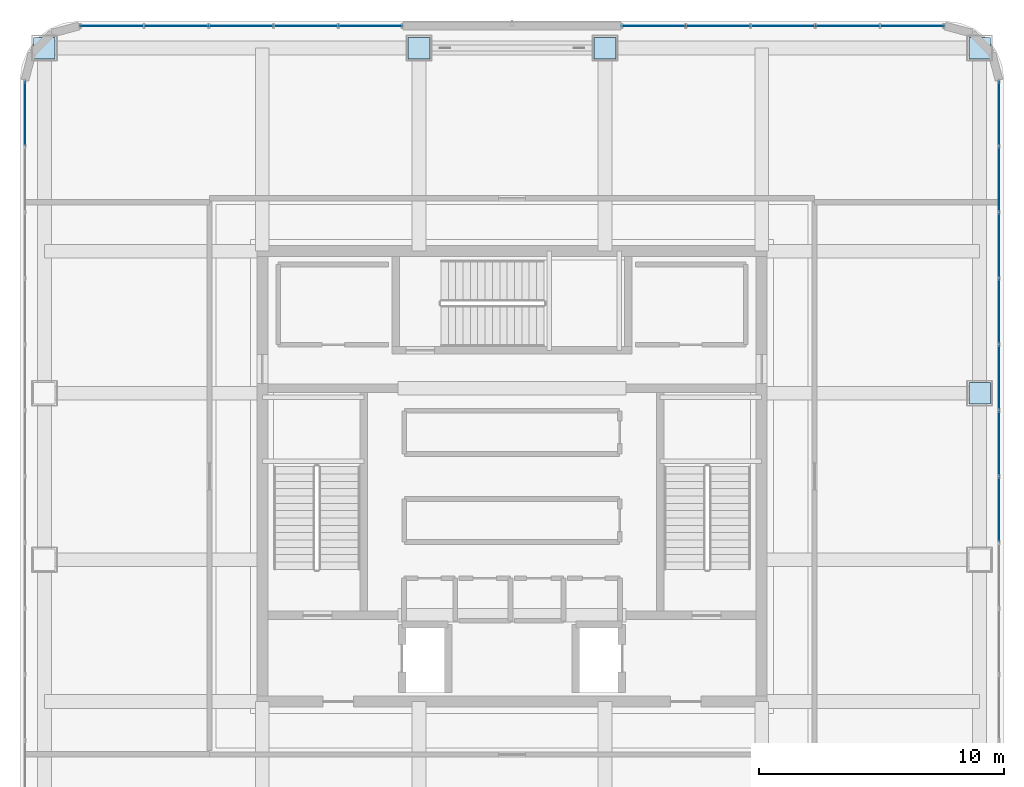
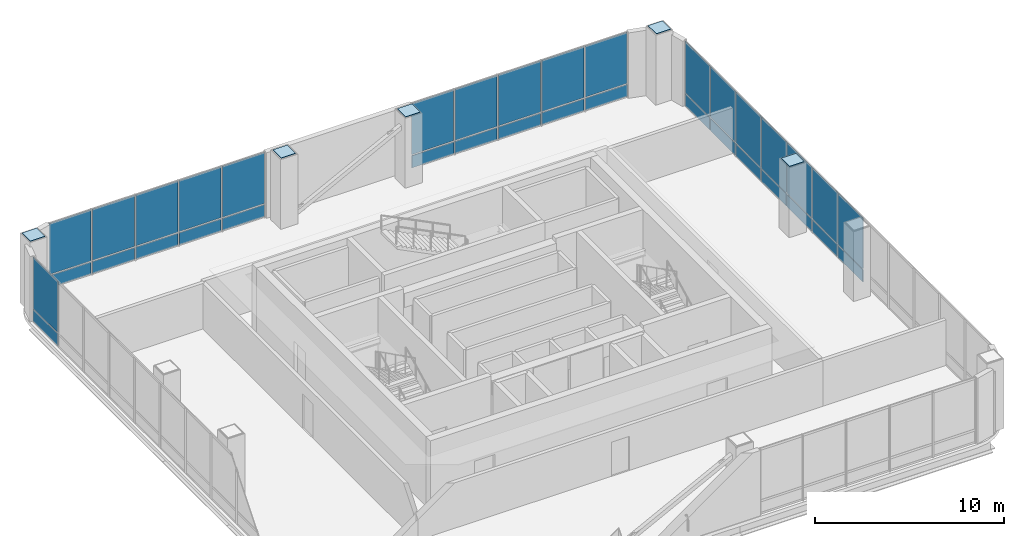
# One storey, part 26 of 33: 41 plates, 4 elements without a shape of their own.
"""IFC4 building model written with IfcOpenShell, lengths in metres."""

import ifcopenshell
import ifcopenshell.guid

model = None  # the IFC model being written
_history = None  # IfcOwnerHistory: only IFC2X3 demands one
_inside = {}  # id of a spatial element -> (the spatial element, [elements in it])
_under = {}  # id of a project, library or spatial element -> (it, [spatial elements below it])
_declared = {}  # id of a project -> (the project, [libraries it declares])
_typed = {}  # id of a type object -> (the type object, [elements of that type])
_made_of = {}  # id of a material, layer set ... -> (it, [elements and type objects made of it])


def new_model(schema):
    """Start an empty IFC model of exactly this schema.

    Asked for "IFC4X3", IfcOpenShell would pick the latest addendum, in which some entities
    have other attributes; the version numbers below select the first issue.
    IFC2X3 requires an IfcOwnerHistory on every rooted entity: one is made here for all.
    """
    global model, _history
    if schema == "IFC4X3":
        model = ifcopenshell.file(schema_version=(4, 3, 0, 0))
    else:
        model = ifcopenshell.file(schema=schema)
    _inside.clear()
    _under.clear()
    _declared.clear()
    _typed.clear()
    _made_of.clear()
    _history = None
    if model.schema == "IFC2X3":
        org = make("IfcOrganization", Name="unknown")
        user = make(
            "IfcPersonAndOrganization",
            ThePerson=make("IfcPerson", FamilyName="unknown"),
            TheOrganization=org,
        )
        app = make(
            "IfcApplication",
            ApplicationDeveloper=org,
            Version="unknown",
            ApplicationFullName="unknown",
            ApplicationIdentifier="unknown",
        )
        _history = make(
            "IfcOwnerHistory",
            OwningUser=user,
            OwningApplication=app,
            ChangeAction="ADDED",
            CreationDate=0,
        )
    return model


def make(cls, **values):
    """One entity of the class cls with the attributes given. An attribute that is None is left unset."""
    return model.create_entity(
        cls, **{name: value for name, value in values.items() if value is not None}
    )


def rooted(cls, **values):
    """An entity with a GlobalId (a new one), such as an element, a storey or a relation."""
    return make(cls, GlobalId=ifcopenshell.guid.new(), OwnerHistory=_history, **values)


def si_unit(unit_type, name, prefix=None):
    """IfcSIUnit, for example si_unit("LENGTHUNIT", "METRE", prefix="MILLI")."""
    return make("IfcSIUnit", UnitType=unit_type, Prefix=prefix, Name=name)


def assignment(units):
    """IfcUnitAssignment: the units of a project."""
    return None if units is None else make("IfcUnitAssignment", Units=units)


def point(xyz):
    """IfcCartesianPoint."""
    return None if xyz is None else make("IfcCartesianPoint", Coordinates=xyz)


def direction(xyz):
    """IfcDirection."""
    return None if xyz is None else make("IfcDirection", DirectionRatios=xyz)


def frame(location, z_axis=None, x_axis=None):
    """IfcAxis2Placement3D, a coordinate frame: its origin and axes. An axis left out is left unset."""
    return make(
        "IfcAxis2Placement3D",
        Location=point(location),
        Axis=direction(z_axis),
        RefDirection=direction(x_axis),
    )


def frame_2d(location, x_axis=None):
    """IfcAxis2Placement2D, a coordinate frame in the plane: its origin and x axis."""
    return make(
        "IfcAxis2Placement2D", Location=point(location), RefDirection=direction(x_axis)
    )


def origin():
    """The frame at (0, 0, 0) with its axes left unset."""
    return frame((0.0, 0.0, 0.0))


def origin_2d():
    """The frame at (0, 0) in the plane with its x axis left unset."""
    return frame_2d((0.0, 0.0))


def place(relative_to, where):
    """IfcLocalPlacement: puts the frame where relative to a parent placement (None: the world)."""
    return make(
        "IfcLocalPlacement", PlacementRelTo=relative_to, RelativePlacement=where
    )


def context(
    kind, dimensions, precision=None, world=None, true_north=None, identifier=None
):
    """IfcGeometricRepresentationContext, for example the 3D "Model" context."""
    return make(
        "IfcGeometricRepresentationContext",
        ContextIdentifier=identifier,
        ContextType=kind,
        CoordinateSpaceDimension=dimensions,
        Precision=precision,
        WorldCoordinateSystem=world,
        TrueNorth=true_north,
    )


def subcontext(parent, identifier, kind, view, scale=None):
    """IfcGeometricRepresentationSubContext, for example "Body" below "Model"."""
    return make(
        "IfcGeometricRepresentationSubContext",
        ContextIdentifier=identifier,
        ContextType=kind,
        ParentContext=parent,
        TargetScale=scale,
        TargetView=view,
    )


def project(units=None, contexts=None):
    """IfcProject with its units and contexts."""
    return rooted(
        "IfcProject",
        Name="project",
        RepresentationContexts=contexts,
        UnitsInContext=assignment(units),
    )


def spatial(cls, under=None, at=None, **own):
    """A site, building, storey or space (cls), placed at a placement, below another one or the project."""
    s = rooted(cls, ObjectPlacement=at, **own)
    if under is not None:
        _under.setdefault(under.id(), (under, []))[1].append(s)
    return s


def profile(cls, at=None, kind="AREA", **sizes):
    """A parametric profile (cls). Its sizes go by their IFC names, for example OverallWidth=200.0."""
    return make(cls, ProfileType=kind, Position=at, **sizes)


def rectangle(**sizes):
    """IfcRectangleProfileDef."""
    return profile("IfcRectangleProfileDef", **sizes)


def extrude(swept, where, along, depth):
    """IfcExtrudedAreaSolid: the profile swept, set in the frame where, extruded along a direction by depth."""
    return make(
        "IfcExtrudedAreaSolid",
        SweptArea=swept,
        Position=where,
        ExtrudedDirection=direction(along),
        Depth=depth,
    )


def shape(context_of_items, identifier, shape_type, items):
    """IfcShapeRepresentation: the items that make up one representation, for example the "Body"."""
    return make(
        "IfcShapeRepresentation",
        ContextOfItems=context_of_items,
        RepresentationIdentifier=identifier,
        RepresentationType=shape_type,
        Items=items,
    )


def material(Name=None, Category=None):
    """IfcMaterial."""
    return make("IfcMaterial", Name=Name, Category=Category)


def layer(
    of_material, thickness, ventilated=None, Name=None, Category=None, Priority=None
):
    """IfcMaterialLayer: one layer of a wall or slab, of a material (None: an air gap)."""
    return make(
        "IfcMaterialLayer",
        Material=of_material,
        LayerThickness=thickness,
        IsVentilated=ventilated,
        Name=Name,
        Category=Category,
        Priority=Priority,
    )


def layer_set(layers, Name=None):
    """IfcMaterialLayerSet."""
    return make("IfcMaterialLayerSet", MaterialLayers=layers, LayerSetName=Name)


def made_of(thing, what):
    """Note that an element or type object is made of a material, layer set ...; save() writes the relation."""
    if what is not None:
        _made_of.setdefault(what.id(), (what, []))[1].append(thing)
    return thing


def type_object(cls, material=None, **own):
    """A type object (cls), such as IfcWallType, which elements share."""
    return made_of(rooted(cls, **own), material)


def element(
    cls,
    number,
    at=None,
    inside=None,
    cuts=None,
    type_object=None,
    material=None,
    context=None,
    identifier="Body",
    shape_type=None,
    held_by="IfcProductDefinitionShape",
    body=None,
    shapes=None,
    **own,
):
    """One element of the class cls, such as IfcWall. Its Tag is "e" and its number.

    at: its placement. inside: the storey or other place that contains it. cuts: it is an
    opening in that element (IfcRelVoidsElement). A single representation is given by context,
    identifier, shape_type and body (its items); several are given by shapes. held_by: the class
    of the entity that holds the representations. save() writes the other relations.
    """
    e = rooted(cls, Tag="e%d" % number, ObjectPlacement=at, **own)
    if body is not None:
        shapes = [shape(context, identifier, shape_type, body)]
    if shapes is not None:
        e.Representation = make(held_by, Representations=shapes)
    if inside is not None:
        _inside.setdefault(inside.id(), (inside, []))[1].append(e)
    if cuts is not None:
        rooted(
            "IfcRelVoidsElement", RelatingBuildingElement=cuts, RelatedOpeningElement=e
        )
    if type_object is not None:
        _typed.setdefault(type_object.id(), (type_object, []))[1].append(e)
    return made_of(e, material)


def aggregate(whole, parts):
    """IfcRelAggregates: a whole, such as a stair, and the parts it consists of."""
    return rooted("IfcRelAggregates", RelatingObject=whole, RelatedObjects=parts)


def save(model, path):
    """Write the relations noted so far, then the file.

    IfcRelAggregates (storeys below a building ...), IfcRelContainedInSpatialStructure (elements
    in a storey), IfcRelDefinesByType, IfcRelAssociatesMaterial and IfcRelDeclares: one each for
    every whole, place, type object, material and project.
    """
    for whole, parts in _under.values():
        aggregate(whole, parts)
    for where, things in _inside.values():
        rooted(
            "IfcRelContainedInSpatialStructure",
            RelatedElements=things,
            RelatingStructure=where,
        )
    for kind, things in _typed.values():
        rooted("IfcRelDefinesByType", RelatedObjects=things, RelatingType=kind)
    for what, things in _made_of.values():
        rooted("IfcRelAssociatesMaterial", RelatedObjects=things, RelatingMaterial=what)
    for by, libraries in _declared.values():
        rooted("IfcRelDeclares", RelatingContext=by, RelatedDefinitions=libraries)
    model.write(path)


model = new_model("IFC4")

# Units and contexts
model_context = context("Model", 3, precision=1e-05, world=origin(), true_north=direction((0.0, 1.0)))
body_context = subcontext(model_context, "Body", "Model", "MODEL_VIEW")
ifc_project = project(units=[si_unit("LENGTHUNIT", "METRE"), si_unit("AREAUNIT", "SQUARE_METRE"), si_unit("VOLUMEUNIT", "CUBIC_METRE"), si_unit("PLANEANGLEUNIT", "RADIAN"), si_unit("MASSUNIT", "GRAM", prefix="KILO")], contexts=[model_context])

# Site, building, storey
site_placement = place(None, origin())
site = spatial("IfcSite", under=ifc_project, at=site_placement, CompositionType="ELEMENT")
building_placement = place(site_placement, origin())
building = spatial("IfcBuilding", under=site, at=building_placement, Name="Punatoya Terracotta Tower", CompositionType="ELEMENT")
storey_placement = place(building_placement, frame((0.0, 0.0, 348.300048828125)))
storey = spatial("IfcBuildingStorey", under=building, at=storey_placement, Name="L82", CompositionType="ELEMENT", Elevation=348.300048828125)

# Plates
ifc_material_1 = material(Name="Steel S460", Category="steel")
ifc_layer_1 = layer(ifc_material_1, 0.031982421875)
ifc_layer_set_1 = layer_set([ifc_layer_1], Name="Steel S460")
plate_type_1 = type_object("IfcPlateType", Name="PLT-END-32", PredefinedType="USERDEFINED", material=ifc_layer_set_1)
for number, where, z_axis, x_axis, name in (
    (1, (19.10009765625, 3.39990234375, 4.5), (0.0, 0.0, 1.0), (1.0, 0.0, 0.0), "L82 Mega-Column MC-06 Top Cap Plate"),
    (2, (19.10009765625, 17.5, 4.5), (0.0, 0.0, 1.0), (1.0, 0.0, 0.0), "L82 Mega-Column MC-07 Top Cap Plate"),
    (3, (3.800048828125, 17.5, 4.5), (0.0, 0.0, 1.0), (1.0, 0.0, 0.0), "L82 Mega-Column MC-08 Top Cap Plate"),
    (4, (-3.800048828125, 17.5, 4.5), (0.0, 0.0, 1.0), (1.0, 0.0, 0.0), "L82 Mega-Column MC-09 Top Cap Plate"),
    (5, (-19.10009765625, 17.5, 4.5), (0.0, 0.0, 1.0), (1.0, 0.0, 0.0), "L82 Mega-Column MC-10 Top Cap Plate"),
):
    element("IfcPlate", number, at=place(storey_placement, frame(where, z_axis=z_axis, x_axis=x_axis)), inside=storey, type_object=plate_type_1, Name=name, ObjectType="FLANGE_PLATE", PredefinedType="USERDEFINED", context=body_context, shape_type="SweptSolid", body=[
        extrude(rectangle(XDim=0.8798828125, YDim=0.8798828125, at=origin_2d()), origin(), (0.0, 0.0, 1.0), 0.031982421875),
    ])

# Curtain wall, plates
ifc_material_2 = material(Name="Aluminium 6063-T6 + Double Low-E Glass", Category="aluminium")
curtain_wall_type = type_object("IfcCurtainWallType", Name="CW-CRN", PredefinedType="NOTDEFINED", material=ifc_material_2)
curtain_wall_1_placement = place(storey_placement, origin())
curtain_wall_1 = element("IfcCurtainWall", 6, at=curtain_wall_1_placement, inside=storey, type_object=curtain_wall_type, Name="L82 Curtain Wall CW-L82-E05-1", PredefinedType="NOTDEFINED")
ifc_material_3 = material(Name="Double Low-E Acoustic Vision Glass", Category="glass")
ifc_layer_2 = layer(ifc_material_3, 0.031982421875)
ifc_layer_set_2 = layer_set([ifc_layer_2], Name="Double Low-E Acoustic Vision Glass")
plate_type_2 = type_object("IfcPlateType", Name="PLT-GLZ-32", PredefinedType="CURTAIN_PANEL", material=ifc_layer_set_2)
plate_1_placement = place(storey_placement, frame((19.89990234375, -1.348876953125, 0.889892578125), z_axis=(0.0, 0.0, 1.0), x_axis=(0.0, 1.0, 0.0)))
plate_1 = element("IfcPlate", 7, at=plate_1_placement, type_object=plate_type_2, Name="CW-L82-E05-1 Vision Glass Panel 6", PredefinedType="CURTAIN_PANEL", context=body_context, shape_type="SweptSolid", body=[
    extrude(rectangle(XDim=2.61279296875, YDim=0.031982421875, at=origin_2d()), origin(), (0.0, 0.0, 1.0), 3.2900390625),
])
plate_2_placement = place(storey_placement, frame((19.89990234375, 1.348876953125, 0.889892578125), z_axis=(0.0, 0.0, 1.0), x_axis=(0.0, 1.0, 0.0)))
plate_2 = element("IfcPlate", 8, at=plate_2_placement, type_object=plate_type_2, Name="CW-L82-E05-1 Vision Glass Panel 7", PredefinedType="CURTAIN_PANEL", context=body_context, shape_type="SweptSolid", body=[
    extrude(rectangle(XDim=2.61279296875, YDim=0.031982421875, at=origin_2d()), origin(), (0.0, 0.0, 1.0), 3.2900390625),
])
plate_3_placement = place(storey_placement, frame((19.89990234375, 4.046630859375, 0.889892578125), z_axis=(0.0, 0.0, 1.0), x_axis=(0.0, 1.0, 0.0)))
plate_3 = element("IfcPlate", 9, at=plate_3_placement, type_object=plate_type_2, Name="CW-L82-E05-1 Vision Glass Panel 8", PredefinedType="CURTAIN_PANEL", context=body_context, shape_type="SweptSolid", body=[
    extrude(rectangle(XDim=2.61279296875, YDim=0.031982421875, at=origin_2d()), origin(), (0.0, 0.0, 1.0), 3.2900390625),
])
plate_4_placement = place(storey_placement, frame((19.89990234375, 6.744384765625, 0.889892578125), z_axis=(0.0, 0.0, 1.0), x_axis=(0.0, 1.0, 0.0)))
plate_4 = element("IfcPlate", 10, at=plate_4_placement, type_object=plate_type_2, Name="CW-L82-E05-1 Vision Glass Panel 9", PredefinedType="CURTAIN_PANEL", context=body_context, shape_type="SweptSolid", body=[
    extrude(rectangle(XDim=2.61279296875, YDim=0.031982421875, at=origin_2d()), origin(), (0.0, 0.0, 1.0), 3.2900390625),
])
plate_5_placement = place(storey_placement, frame((19.89990234375, 9.4423828125, 0.889892578125), z_axis=(0.0, 0.0, 1.0), x_axis=(0.0, 1.0, 0.0)))
plate_5 = element("IfcPlate", 11, at=plate_5_placement, type_object=plate_type_2, Name="CW-L82-E05-1 Vision Glass Panel 10", PredefinedType="CURTAIN_PANEL", context=body_context, shape_type="SweptSolid", body=[
    extrude(rectangle(XDim=2.61279296875, YDim=0.031982421875, at=origin_2d()), origin(), (0.0, 0.0, 1.0), 3.2900390625),
])
plate_6_placement = place(storey_placement, frame((19.89990234375, 12.14013671875, 0.889892578125), z_axis=(0.0, 0.0, 1.0), x_axis=(0.0, 1.0, 0.0)))
plate_6 = element("IfcPlate", 12, at=plate_6_placement, type_object=plate_type_2, Name="CW-L82-E05-1 Vision Glass Panel 11", PredefinedType="CURTAIN_PANEL", context=body_context, shape_type="SweptSolid", body=[
    extrude(rectangle(XDim=2.61279296875, YDim=0.031982421875, at=origin_2d()), origin(), (0.0, 0.0, 1.0), 3.2900390625),
])
plate_7_placement = place(storey_placement, frame((19.89990234375, 14.837890625, 0.889892578125), z_axis=(0.0, 0.0, 1.0), x_axis=(0.0, 1.0, 0.0)))
plate_7 = element("IfcPlate", 13, at=plate_7_placement, type_object=plate_type_2, Name="CW-L82-E05-1 Vision Glass Panel 12", PredefinedType="CURTAIN_PANEL", context=body_context, shape_type="SweptSolid", body=[
    extrude(rectangle(XDim=2.61279296875, YDim=0.031982421875, at=origin_2d()), origin(), (0.0, 0.0, 1.0), 3.2900390625),
])

curtain_wall_2_placement = place(storey_placement, origin())
curtain_wall_2 = element("IfcCurtainWall", 14, at=curtain_wall_2_placement, inside=storey, type_object=curtain_wall_type, Name="L82 Curtain Wall CW-L82-N09-1", PredefinedType="NOTDEFINED")
plate_8_placement = place(storey_placement, frame((16.36328125, 18.39990234375, 0.889892578125), z_axis=(0.0, 0.0, 1.0), x_axis=(-1.0, 0.0, 0.0)))
plate_8 = element("IfcPlate", 15, at=plate_8_placement, type_object=plate_type_2, Name="CW-L82-N09-1 Vision Glass Panel 1", PredefinedType="CURTAIN_PANEL", context=body_context, shape_type="SweptSolid", body=[
    extrude(rectangle(XDim=2.5625, YDim=0.031982421875, at=origin_2d()), origin(), (0.0, 0.0, 1.0), 3.2900390625),
])
plate_9_placement = place(storey_placement, frame((13.7158203125, 18.39990234375, 0.889892578125), z_axis=(0.0, 0.0, 1.0), x_axis=(-1.0, 0.0, 0.0)))
plate_9 = element("IfcPlate", 16, at=plate_9_placement, type_object=plate_type_2, Name="CW-L82-N09-1 Vision Glass Panel 2", PredefinedType="CURTAIN_PANEL", context=body_context, shape_type="SweptSolid", body=[
    extrude(rectangle(XDim=2.5625, YDim=0.031982421875, at=origin_2d()), origin(), (0.0, 0.0, 1.0), 3.2900390625),
])
plate_10_placement = place(storey_placement, frame((11.068603515625, 18.39990234375, 0.889892578125), z_axis=(0.0, 0.0, 1.0), x_axis=(-1.0, 0.0, 0.0)))
plate_10 = element("IfcPlate", 17, at=plate_10_placement, type_object=plate_type_2, Name="CW-L82-N09-1 Vision Glass Panel 3", PredefinedType="CURTAIN_PANEL", context=body_context, shape_type="SweptSolid", body=[
    extrude(rectangle(XDim=2.5625, YDim=0.031982421875, at=origin_2d()), origin(), (0.0, 0.0, 1.0), 3.2900390625),
])
plate_11_placement = place(storey_placement, frame((8.421142578125, 18.39990234375, 0.889892578125), z_axis=(0.0, 0.0, 1.0), x_axis=(-1.0, 0.0, 0.0)))
plate_11 = element("IfcPlate", 18, at=plate_11_placement, type_object=plate_type_2, Name="CW-L82-N09-1 Vision Glass Panel 4", PredefinedType="CURTAIN_PANEL", context=body_context, shape_type="SweptSolid", body=[
    extrude(rectangle(XDim=2.5625, YDim=0.031982421875, at=origin_2d()), origin(), (0.0, 0.0, 1.0), 3.2900390625),
])
plate_12_placement = place(storey_placement, frame((5.773681640625, 18.39990234375, 0.889892578125), z_axis=(0.0, 0.0, 1.0), x_axis=(-1.0, 0.0, 0.0)))
plate_12 = element("IfcPlate", 19, at=plate_12_placement, type_object=plate_type_2, Name="CW-L82-N09-1 Vision Glass Panel 5", PredefinedType="CURTAIN_PANEL", context=body_context, shape_type="SweptSolid", body=[
    extrude(rectangle(XDim=2.5625, YDim=0.031982421875, at=origin_2d()), origin(), (0.0, 0.0, 1.0), 3.2900390625),
])

curtain_wall_3_placement = place(storey_placement, origin())
curtain_wall_3 = element("IfcCurtainWall", 20, at=curtain_wall_3_placement, inside=storey, type_object=curtain_wall_type, Name="L82 Curtain Wall CW-L82-N09-2", PredefinedType="NOTDEFINED")
plate_13_placement = place(storey_placement, frame((-5.773681640625, 18.39990234375, 0.889892578125), z_axis=(0.0, 0.0, 1.0), x_axis=(-1.0, 0.0, 0.0)))
plate_13 = element("IfcPlate", 21, at=plate_13_placement, type_object=plate_type_2, Name="CW-L82-N09-2 Vision Glass Panel 1", PredefinedType="CURTAIN_PANEL", context=body_context, shape_type="SweptSolid", body=[
    extrude(rectangle(XDim=2.5625, YDim=0.031982421875, at=origin_2d()), origin(), (0.0, 0.0, 1.0), 3.2900390625),
])
plate_14_placement = place(storey_placement, frame((-8.421142578125, 18.39990234375, 0.889892578125), z_axis=(0.0, 0.0, 1.0), x_axis=(-1.0, 0.0, 0.0)))
plate_14 = element("IfcPlate", 22, at=plate_14_placement, type_object=plate_type_2, Name="CW-L82-N09-2 Vision Glass Panel 2", PredefinedType="CURTAIN_PANEL", context=body_context, shape_type="SweptSolid", body=[
    extrude(rectangle(XDim=2.5625, YDim=0.031982421875, at=origin_2d()), origin(), (0.0, 0.0, 1.0), 3.2900390625),
])
plate_15_placement = place(storey_placement, frame((-11.068603515625, 18.39990234375, 0.889892578125), z_axis=(0.0, 0.0, 1.0), x_axis=(-1.0, 0.0, 0.0)))
plate_15 = element("IfcPlate", 23, at=plate_15_placement, type_object=plate_type_2, Name="CW-L82-N09-2 Vision Glass Panel 3", PredefinedType="CURTAIN_PANEL", context=body_context, shape_type="SweptSolid", body=[
    extrude(rectangle(XDim=2.5625, YDim=0.031982421875, at=origin_2d()), origin(), (0.0, 0.0, 1.0), 3.2900390625),
])
plate_16_placement = place(storey_placement, frame((-13.7158203125, 18.39990234375, 0.889892578125), z_axis=(0.0, 0.0, 1.0), x_axis=(-1.0, 0.0, 0.0)))
plate_16 = element("IfcPlate", 24, at=plate_16_placement, type_object=plate_type_2, Name="CW-L82-N09-2 Vision Glass Panel 4", PredefinedType="CURTAIN_PANEL", context=body_context, shape_type="SweptSolid", body=[
    extrude(rectangle(XDim=2.5625, YDim=0.031982421875, at=origin_2d()), origin(), (0.0, 0.0, 1.0), 3.2900390625),
])
plate_17_placement = place(storey_placement, frame((-16.36328125, 18.39990234375, 0.889892578125), z_axis=(0.0, 0.0, 1.0), x_axis=(-1.0, 0.0, 0.0)))
plate_17 = element("IfcPlate", 25, at=plate_17_placement, type_object=plate_type_2, Name="CW-L82-N09-2 Vision Glass Panel 5", PredefinedType="CURTAIN_PANEL", context=body_context, shape_type="SweptSolid", body=[
    extrude(rectangle(XDim=2.5625, YDim=0.031982421875, at=origin_2d()), origin(), (0.0, 0.0, 1.0), 3.2900390625),
])

# Curtain wall, plate
curtain_wall_4_placement = place(storey_placement, origin())
curtain_wall_4 = element("IfcCurtainWall", 26, at=curtain_wall_4_placement, inside=storey, type_object=curtain_wall_type, Name="L82 Curtain Wall CW-L82-W13-1", PredefinedType="NOTDEFINED")
plate_18_placement = place(storey_placement, frame((-19.89990234375, 14.837890625, 0.889892578125), z_axis=(0.0, 0.0, 1.0), x_axis=(0.0, -1.0, 0.0)))
plate_18 = element("IfcPlate", 27, at=plate_18_placement, type_object=plate_type_2, Name="CW-L82-W13-1 Vision Glass Panel 1", PredefinedType="CURTAIN_PANEL", context=body_context, shape_type="SweptSolid", body=[
    extrude(rectangle(XDim=2.61279296875, YDim=0.031982421875, at=origin_2d()), origin(), (0.0, 0.0, 1.0), 3.2900390625),
])

# Plate
ifc_material_4 = material(Name="Crown Insulated Terracotta Spandrel Panel", Category="masonry")
ifc_layer_3 = layer(ifc_material_4, 0.052001953125)
ifc_layer_set_3 = layer_set([ifc_layer_3], Name="Crown Insulated Terracotta Spandrel Panel")
plate_type_3 = type_object("IfcPlateType", Name="PLT-SPN-52", PredefinedType="CURTAIN_PANEL", material=ifc_layer_set_3)
plate_19_placement = place(storey_placement, frame((19.89990234375, -1.348876953125, 0.0400390625), z_axis=(0.0, 0.0, 1.0), x_axis=(0.0, 1.0, 0.0)))
plate_19 = element("IfcPlate", 28, at=plate_19_placement, type_object=plate_type_3, Name="CW-L82-E05-1 Terracotta Spandrel Panel 6", PredefinedType="CURTAIN_PANEL", context=body_context, shape_type="SweptSolid", body=[
    extrude(rectangle(XDim=2.61279296875, YDim=0.052001953125, at=origin_2d()), origin(), (0.0, 0.0, 1.0), 0.77490234375),
])

plate_20_placement = place(storey_placement, frame((19.89990234375, 1.348876953125, 0.0400390625), z_axis=(0.0, 0.0, 1.0), x_axis=(0.0, 1.0, 0.0)))
plate_20 = element("IfcPlate", 29, at=plate_20_placement, type_object=plate_type_3, Name="CW-L82-E05-1 Terracotta Spandrel Panel 7", PredefinedType="CURTAIN_PANEL", context=body_context, shape_type="SweptSolid", body=[
    extrude(rectangle(XDim=2.61279296875, YDim=0.052001953125, at=origin_2d()), origin(), (0.0, 0.0, 1.0), 0.77490234375),
])

plate_21_placement = place(storey_placement, frame((19.89990234375, 4.046630859375, 0.0400390625), z_axis=(0.0, 0.0, 1.0), x_axis=(0.0, 1.0, 0.0)))
plate_21 = element("IfcPlate", 30, at=plate_21_placement, type_object=plate_type_3, Name="CW-L82-E05-1 Terracotta Spandrel Panel 8", PredefinedType="CURTAIN_PANEL", context=body_context, shape_type="SweptSolid", body=[
    extrude(rectangle(XDim=2.61279296875, YDim=0.052001953125, at=origin_2d()), origin(), (0.0, 0.0, 1.0), 0.77490234375),
])

plate_22_placement = place(storey_placement, frame((19.89990234375, 6.744384765625, 0.0400390625), z_axis=(0.0, 0.0, 1.0), x_axis=(0.0, 1.0, 0.0)))
plate_22 = element("IfcPlate", 31, at=plate_22_placement, type_object=plate_type_3, Name="CW-L82-E05-1 Terracotta Spandrel Panel 9", PredefinedType="CURTAIN_PANEL", context=body_context, shape_type="SweptSolid", body=[
    extrude(rectangle(XDim=2.61279296875, YDim=0.052001953125, at=origin_2d()), origin(), (0.0, 0.0, 1.0), 0.77490234375),
])

plate_23_placement = place(storey_placement, frame((19.89990234375, 9.4423828125, 0.0400390625), z_axis=(0.0, 0.0, 1.0), x_axis=(0.0, 1.0, 0.0)))
plate_23 = element("IfcPlate", 32, at=plate_23_placement, type_object=plate_type_3, Name="CW-L82-E05-1 Terracotta Spandrel Panel 10", PredefinedType="CURTAIN_PANEL", context=body_context, shape_type="SweptSolid", body=[
    extrude(rectangle(XDim=2.61279296875, YDim=0.052001953125, at=origin_2d()), origin(), (0.0, 0.0, 1.0), 0.77490234375),
])

plate_24_placement = place(storey_placement, frame((19.89990234375, 12.14013671875, 0.0400390625), z_axis=(0.0, 0.0, 1.0), x_axis=(0.0, 1.0, 0.0)))
plate_24 = element("IfcPlate", 33, at=plate_24_placement, type_object=plate_type_3, Name="CW-L82-E05-1 Terracotta Spandrel Panel 11", PredefinedType="CURTAIN_PANEL", context=body_context, shape_type="SweptSolid", body=[
    extrude(rectangle(XDim=2.61279296875, YDim=0.052001953125, at=origin_2d()), origin(), (0.0, 0.0, 1.0), 0.77490234375),
])

plate_25_placement = place(storey_placement, frame((19.89990234375, 14.837890625, 0.0400390625), z_axis=(0.0, 0.0, 1.0), x_axis=(0.0, 1.0, 0.0)))
plate_25 = element("IfcPlate", 34, at=plate_25_placement, type_object=plate_type_3, Name="CW-L82-E05-1 Terracotta Spandrel Panel 12", PredefinedType="CURTAIN_PANEL", context=body_context, shape_type="SweptSolid", body=[
    extrude(rectangle(XDim=2.61279296875, YDim=0.052001953125, at=origin_2d()), origin(), (0.0, 0.0, 1.0), 0.77490234375),
])

aggregate(curtain_wall_1, [plate_19, plate_1, plate_20, plate_2, plate_21, plate_3, plate_22, plate_4, plate_23, plate_5, plate_24, plate_6, plate_25, plate_7])

plate_26_placement = place(storey_placement, frame((16.36328125, 18.39990234375, 0.0400390625), z_axis=(0.0, 0.0, 1.0), x_axis=(-1.0, 0.0, 0.0)))
plate_26 = element("IfcPlate", 35, at=plate_26_placement, type_object=plate_type_3, Name="CW-L82-N09-1 Terracotta Spandrel Panel 1", PredefinedType="CURTAIN_PANEL", context=body_context, shape_type="SweptSolid", body=[
    extrude(rectangle(XDim=2.5625, YDim=0.052001953125, at=origin_2d()), origin(), (0.0, 0.0, 1.0), 0.77490234375),
])

plate_27_placement = place(storey_placement, frame((13.7158203125, 18.39990234375, 0.0400390625), z_axis=(0.0, 0.0, 1.0), x_axis=(-1.0, 0.0, 0.0)))
plate_27 = element("IfcPlate", 36, at=plate_27_placement, type_object=plate_type_3, Name="CW-L82-N09-1 Terracotta Spandrel Panel 2", PredefinedType="CURTAIN_PANEL", context=body_context, shape_type="SweptSolid", body=[
    extrude(rectangle(XDim=2.5625, YDim=0.052001953125, at=origin_2d()), origin(), (0.0, 0.0, 1.0), 0.77490234375),
])

plate_28_placement = place(storey_placement, frame((11.068603515625, 18.39990234375, 0.0400390625), z_axis=(0.0, 0.0, 1.0), x_axis=(-1.0, 0.0, 0.0)))
plate_28 = element("IfcPlate", 37, at=plate_28_placement, type_object=plate_type_3, Name="CW-L82-N09-1 Terracotta Spandrel Panel 3", PredefinedType="CURTAIN_PANEL", context=body_context, shape_type="SweptSolid", body=[
    extrude(rectangle(XDim=2.5625, YDim=0.052001953125, at=origin_2d()), origin(), (0.0, 0.0, 1.0), 0.77490234375),
])

plate_29_placement = place(storey_placement, frame((8.421142578125, 18.39990234375, 0.0400390625), z_axis=(0.0, 0.0, 1.0), x_axis=(-1.0, 0.0, 0.0)))
plate_29 = element("IfcPlate", 38, at=plate_29_placement, type_object=plate_type_3, Name="CW-L82-N09-1 Terracotta Spandrel Panel 4", PredefinedType="CURTAIN_PANEL", context=body_context, shape_type="SweptSolid", body=[
    extrude(rectangle(XDim=2.5625, YDim=0.052001953125, at=origin_2d()), origin(), (0.0, 0.0, 1.0), 0.77490234375),
])

plate_30_placement = place(storey_placement, frame((5.773681640625, 18.39990234375, 0.0400390625), z_axis=(0.0, 0.0, 1.0), x_axis=(-1.0, 0.0, 0.0)))
plate_30 = element("IfcPlate", 39, at=plate_30_placement, type_object=plate_type_3, Name="CW-L82-N09-1 Terracotta Spandrel Panel 5", PredefinedType="CURTAIN_PANEL", context=body_context, shape_type="SweptSolid", body=[
    extrude(rectangle(XDim=2.5625, YDim=0.052001953125, at=origin_2d()), origin(), (0.0, 0.0, 1.0), 0.77490234375),
])

aggregate(curtain_wall_2, [plate_26, plate_8, plate_27, plate_9, plate_28, plate_10, plate_29, plate_11, plate_30, plate_12])

plate_31_placement = place(storey_placement, frame((-5.773681640625, 18.39990234375, 0.0400390625), z_axis=(0.0, 0.0, 1.0), x_axis=(-1.0, 0.0, 0.0)))
plate_31 = element("IfcPlate", 40, at=plate_31_placement, type_object=plate_type_3, Name="CW-L82-N09-2 Terracotta Spandrel Panel 1", PredefinedType="CURTAIN_PANEL", context=body_context, shape_type="SweptSolid", body=[
    extrude(rectangle(XDim=2.5625, YDim=0.052001953125, at=origin_2d()), origin(), (0.0, 0.0, 1.0), 0.77490234375),
])

plate_32_placement = place(storey_placement, frame((-8.421142578125, 18.39990234375, 0.0400390625), z_axis=(0.0, 0.0, 1.0), x_axis=(-1.0, 0.0, 0.0)))
plate_32 = element("IfcPlate", 41, at=plate_32_placement, type_object=plate_type_3, Name="CW-L82-N09-2 Terracotta Spandrel Panel 2", PredefinedType="CURTAIN_PANEL", context=body_context, shape_type="SweptSolid", body=[
    extrude(rectangle(XDim=2.5625, YDim=0.052001953125, at=origin_2d()), origin(), (0.0, 0.0, 1.0), 0.77490234375),
])

plate_33_placement = place(storey_placement, frame((-11.068603515625, 18.39990234375, 0.0400390625), z_axis=(0.0, 0.0, 1.0), x_axis=(-1.0, 0.0, 0.0)))
plate_33 = element("IfcPlate", 42, at=plate_33_placement, type_object=plate_type_3, Name="CW-L82-N09-2 Terracotta Spandrel Panel 3", PredefinedType="CURTAIN_PANEL", context=body_context, shape_type="SweptSolid", body=[
    extrude(rectangle(XDim=2.5625, YDim=0.052001953125, at=origin_2d()), origin(), (0.0, 0.0, 1.0), 0.77490234375),
])

plate_34_placement = place(storey_placement, frame((-13.7158203125, 18.39990234375, 0.0400390625), z_axis=(0.0, 0.0, 1.0), x_axis=(-1.0, 0.0, 0.0)))
plate_34 = element("IfcPlate", 43, at=plate_34_placement, type_object=plate_type_3, Name="CW-L82-N09-2 Terracotta Spandrel Panel 4", PredefinedType="CURTAIN_PANEL", context=body_context, shape_type="SweptSolid", body=[
    extrude(rectangle(XDim=2.5625, YDim=0.052001953125, at=origin_2d()), origin(), (0.0, 0.0, 1.0), 0.77490234375),
])

plate_35_placement = place(storey_placement, frame((-16.36328125, 18.39990234375, 0.0400390625), z_axis=(0.0, 0.0, 1.0), x_axis=(-1.0, 0.0, 0.0)))
plate_35 = element("IfcPlate", 44, at=plate_35_placement, type_object=plate_type_3, Name="CW-L82-N09-2 Terracotta Spandrel Panel 5", PredefinedType="CURTAIN_PANEL", context=body_context, shape_type="SweptSolid", body=[
    extrude(rectangle(XDim=2.5625, YDim=0.052001953125, at=origin_2d()), origin(), (0.0, 0.0, 1.0), 0.77490234375),
])

aggregate(curtain_wall_3, [plate_31, plate_13, plate_32, plate_14, plate_33, plate_15, plate_34, plate_16, plate_35, plate_17])

plate_36_placement = place(storey_placement, frame((-19.89990234375, 14.837890625, 0.0400390625), z_axis=(0.0, 0.0, 1.0), x_axis=(0.0, -1.0, 0.0)))
plate_36 = element("IfcPlate", 45, at=plate_36_placement, type_object=plate_type_3, Name="CW-L82-W13-1 Terracotta Spandrel Panel 1", PredefinedType="CURTAIN_PANEL", context=body_context, shape_type="SweptSolid", body=[
    extrude(rectangle(XDim=2.61279296875, YDim=0.052001953125, at=origin_2d()), origin(), (0.0, 0.0, 1.0), 0.77490234375),
])

aggregate(curtain_wall_4, [plate_36, plate_18])

save(model, "model.ifc")
